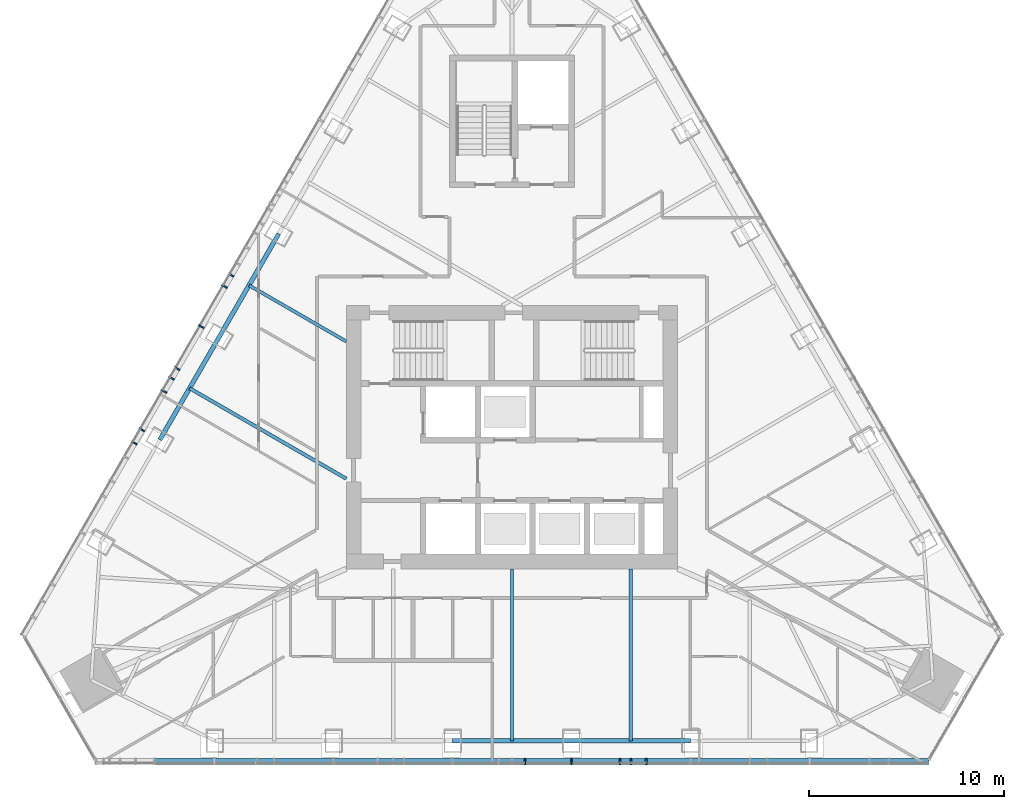
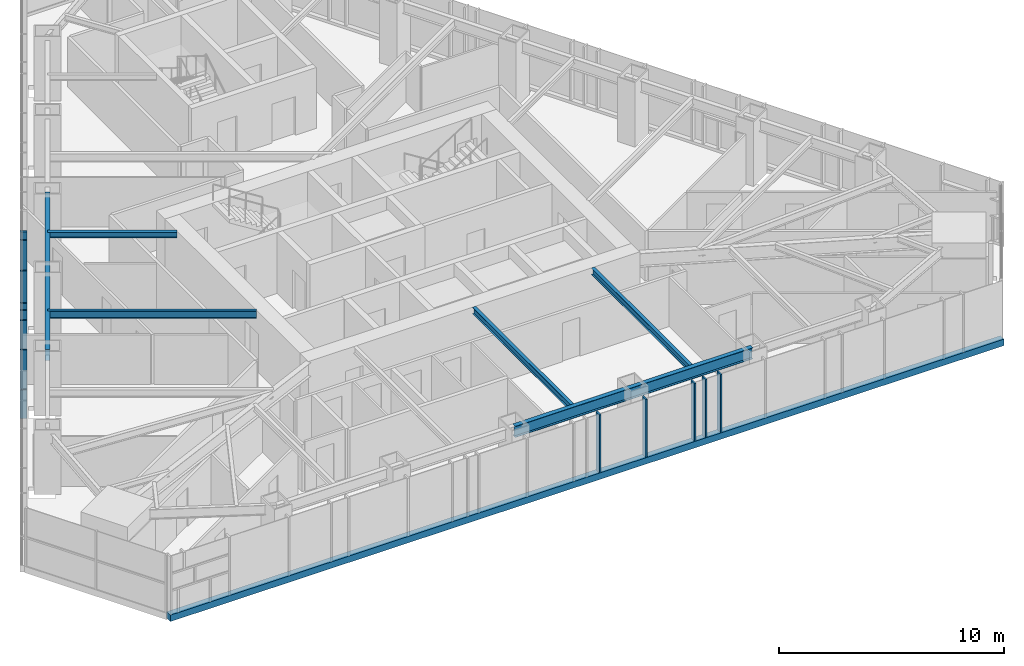
# One storey, part 3 of 18: 14 members, 6 beams, 2 elements without a shape of their own.
"""IFC4 building model written with IfcOpenShell, lengths in metres."""

from ifc_helpers import new_model, si_unit, direction, frame, origin, origin_2d, place, context, subcontext, project, spatial, rectangle, i_section, extrude, material, layer, layer_set, material_profile, profile_set, type_object, element, aggregate, save


model = new_model("IFC4")

# Units and contexts
model_context = context("Model", 3, precision=1e-05, world=origin(), true_north=direction((0.0, 1.0)))
body_context = subcontext(model_context, "Body", "Model", "MODEL_VIEW")
ifc_project = project(units=[si_unit("LENGTHUNIT", "METRE"), si_unit("AREAUNIT", "SQUARE_METRE"), si_unit("VOLUMEUNIT", "CUBIC_METRE"), si_unit("PLANEANGLEUNIT", "RADIAN"), si_unit("MASSUNIT", "GRAM", prefix="KILO")], contexts=[model_context])

# Site, building, storey
site_placement = place(None, origin())
site = spatial("IfcSite", under=ifc_project, at=site_placement, CompositionType="ELEMENT")
building_placement = place(site_placement, origin())
building = spatial("IfcBuilding", under=site, at=building_placement, Name="Firuza Gate Tower and Library", CompositionType="ELEMENT")
storey_placement = place(building_placement, frame((0.0, 0.0, 298.60009765625)))
storey = spatial("IfcBuildingStorey", under=building, at=storey_placement, Name="L72", CompositionType="ELEMENT", Elevation=298.60009765625)

# Curtain wall, members
ifc_material_1 = material(Name="Aluminium 6063-T6", Category="aluminium")
ifc_layer = layer(ifc_material_1, 0.14990234375)
ifc_layer_set = layer_set([ifc_layer], Name="Unitised curtain wall, residences")
curtain_wall_type = type_object("IfcCurtainWallType", Name="Unitised curtain wall, residences", PredefinedType="NOTDEFINED", material=ifc_layer_set)
placement = place(storey_placement, origin())
curtain_wall_1 = element("IfcCurtainWall", 1, at=placement, inside=storey, type_object=curtain_wall_type, Name="CW3 L72 S face", PredefinedType="NOTDEFINED")
ifc_material_2 = material(Name="Aluminium 6063-T6", Category="aluminium")
ifc_material_profile_1 = material_profile(ifc_material_2, rectangle(XDim=0.320068359375, YDim=0.080078125, at=origin_2d()))
ifc_profile_set_1 = profile_set([ifc_material_profile_1], Name="Aluminium 6063-T6")
member_type_1 = type_object("IfcMemberType", Name="Curtain wall mullion 80x320", PredefinedType="MULLION", material=ifc_profile_set_1)
member_1_placement = place(storey_placement, frame((78.05419921875, 58.36474609375, 0.14990234375), z_axis=(0.0, 0.0, 1.0), x_axis=(0.0, 1.0, 0.0)))
member_1 = element("IfcMember", 2, at=member_1_placement, type_object=member_type_1, Name="Mullion", PredefinedType="MULLION", context=body_context, shape_type="SweptSolid", body=[
    extrude(rectangle(XDim=0.320068359375, YDim=0.080078125, at=origin_2d()), origin(), (0.0, 0.0, 1.0), 3.14990234375),
])
member_2_placement = place(storey_placement, frame((81.1083984375, 58.36474609375, 0.14990234375), z_axis=(0.0, 0.0, 1.0), x_axis=(0.0, 1.0, 0.0)))
member_2 = element("IfcMember", 3, at=member_2_placement, type_object=member_type_1, Name="Mullion", PredefinedType="MULLION", context=body_context, shape_type="SweptSolid", body=[
    extrude(rectangle(XDim=0.320068359375, YDim=0.080078125, at=origin_2d()), origin(), (0.0, 0.0, 1.0), 3.14990234375),
])
member_3_placement = place(storey_placement, frame((75.672607421875, 58.36474609375, 0.14990234375), z_axis=(0.0, 0.0, 1.0), x_axis=(0.0, 1.0, 0.0)))
member_3 = element("IfcMember", 4, at=member_3_placement, type_object=member_type_1, Name="Mullion", PredefinedType="MULLION", context=body_context, shape_type="SweptSolid", body=[
    extrude(rectangle(XDim=0.320068359375, YDim=0.080078125, at=origin_2d()), origin(), (0.0, 0.0, 1.0), 3.14990234375),
])
member_4_placement = place(storey_placement, frame((80.540771484375, 58.36474609375, 0.14990234375), z_axis=(0.0, 0.0, 1.0), x_axis=(0.0, 1.0, 0.0)))
member_4 = element("IfcMember", 5, at=member_4_placement, type_object=member_type_1, Name="Mullion", PredefinedType="MULLION", context=body_context, shape_type="SweptSolid", body=[
    extrude(rectangle(XDim=0.320068359375, YDim=0.080078125, at=origin_2d()), origin(), (0.0, 0.0, 1.0), 3.14990234375),
])
member_5_placement = place(storey_placement, frame((81.885986328125, 58.36474609375, 0.14990234375), z_axis=(0.0, 0.0, 1.0), x_axis=(0.0, 1.0, 0.0)))
member_5 = element("IfcMember", 6, at=member_5_placement, type_object=member_type_1, Name="Mullion", PredefinedType="MULLION", context=body_context, shape_type="SweptSolid", body=[
    extrude(rectangle(XDim=0.320068359375, YDim=0.080078125, at=origin_2d()), origin(), (0.0, 0.0, 1.0), 3.14990234375),
])

curtain_wall_2 = element("IfcCurtainWall", 7, at=placement, inside=storey, type_object=curtain_wall_type, Name="CW3 L72 W face", PredefinedType="NOTDEFINED")
member_6_placement = place(storey_placement, frame((60.593505859375, 83.317626953125, 0.14990234375), z_axis=(0.0, 0.0, 1.0), x_axis=(0.866025403784, -0.5, 0.0)))
member_6 = element("IfcMember", 8, at=member_6_placement, type_object=member_type_1, Name="Mullion", PredefinedType="MULLION", context=body_context, shape_type="SweptSolid", body=[
    extrude(rectangle(XDim=0.320068359375, YDim=0.080078125, at=origin_2d()), origin(), (0.0, 0.0, 1.0), 3.14990234375),
])
member_7_placement = place(storey_placement, frame((59.06640625, 80.672607421875, 0.14990234375), z_axis=(0.0, 0.0, 1.0), x_axis=(0.866025403784, -0.5, 0.0)))
member_7 = element("IfcMember", 9, at=member_7_placement, type_object=member_type_1, Name="Mullion", PredefinedType="MULLION", context=body_context, shape_type="SweptSolid", body=[
    extrude(rectangle(XDim=0.320068359375, YDim=0.080078125, at=origin_2d()), origin(), (0.0, 0.0, 1.0), 3.14990234375),
])
member_8_placement = place(storey_placement, frame((57.539306640625, 78.027587890625, 0.14990234375), z_axis=(0.0, 0.0, 1.0), x_axis=(0.866025403784, -0.5, 0.0)))
member_8 = element("IfcMember", 10, at=member_8_placement, type_object=member_type_1, Name="Mullion", PredefinedType="MULLION", context=body_context, shape_type="SweptSolid", body=[
    extrude(rectangle(XDim=0.320068359375, YDim=0.080078125, at=origin_2d()), origin(), (0.0, 0.0, 1.0), 3.14990234375),
])
member_9_placement = place(storey_placement, frame((56.01220703125, 75.382568359375, 0.14990234375), z_axis=(0.0, 0.0, 1.0), x_axis=(0.866025403784, -0.5, 0.0)))
member_9 = element("IfcMember", 11, at=member_9_placement, type_object=member_type_1, Name="Mullion", PredefinedType="MULLION", context=body_context, shape_type="SweptSolid", body=[
    extrude(rectangle(XDim=0.320068359375, YDim=0.080078125, at=origin_2d()), origin(), (0.0, 0.0, 1.0), 3.14990234375),
])
member_10_placement = place(storey_placement, frame((60.257080078125, 82.735107421875, 0.14990234375), z_axis=(0.0, 0.0, 1.0), x_axis=(0.866025403784, -0.5, 0.0)))
member_10 = element("IfcMember", 12, at=member_10_placement, type_object=member_type_1, Name="Mullion", PredefinedType="MULLION", context=body_context, shape_type="SweptSolid", body=[
    extrude(rectangle(XDim=0.320068359375, YDim=0.080078125, at=origin_2d()), origin(), (0.0, 0.0, 1.0), 3.14990234375),
])
member_11_placement = place(storey_placement, frame((57.822998046875, 78.519287109375, 0.14990234375), z_axis=(0.0, 0.0, 1.0), x_axis=(0.866025403784, -0.5, 0.0)))
member_11 = element("IfcMember", 13, at=member_11_placement, type_object=member_type_1, Name="Mullion", PredefinedType="MULLION", context=body_context, shape_type="SweptSolid", body=[
    extrude(rectangle(XDim=0.320068359375, YDim=0.080078125, at=origin_2d()), origin(), (0.0, 0.0, 1.0), 3.14990234375),
])
member_12_placement = place(storey_placement, frame((57.150390625, 77.354248046875, 0.14990234375), z_axis=(0.0, 0.0, 1.0), x_axis=(0.866025403784, -0.5, 0.0)))
member_12 = element("IfcMember", 14, at=member_12_placement, type_object=member_type_1, Name="Mullion", PredefinedType="MULLION", context=body_context, shape_type="SweptSolid", body=[
    extrude(rectangle(XDim=0.320068359375, YDim=0.080078125, at=origin_2d()), origin(), (0.0, 0.0, 1.0), 3.14990234375),
])
member_13_placement = place(storey_placement, frame((55.622314453125, 74.707275390625, 0.14990234375), z_axis=(0.0, 0.0, 1.0), x_axis=(0.866025403784, -0.5, 0.0)))
member_13 = element("IfcMember", 15, at=member_13_placement, type_object=member_type_1, Name="Mullion", PredefinedType="MULLION", context=body_context, shape_type="SweptSolid", body=[
    extrude(rectangle(XDim=0.320068359375, YDim=0.080078125, at=origin_2d()), origin(), (0.0, 0.0, 1.0), 1.534912109375),
])
aggregate(curtain_wall_2, [member_6, member_7, member_8, member_9, member_10, member_11, member_12, member_13])

# Member
ifc_material_3 = material(Name="Aluminium 6063-T6", Category="aluminium")
ifc_material_profile_2 = material_profile(ifc_material_3, rectangle(XDim=0.320068359375, YDim=0.35009765625, at=origin_2d()))
ifc_profile_set_2 = profile_set([ifc_material_profile_2], Name="Aluminium 6063-T6")
member_type_2 = type_object("IfcMemberType", Name="Curtain wall transom 350x320", PredefinedType="USERDEFINED", material=ifc_profile_set_2)
member_14_placement = place(storey_placement, frame((53.62060546875, 58.36474609375, -0.025146484375), z_axis=(1.0, 0.0, 0.0), x_axis=(0.0, 1.0, 0.0)))
member_14 = element("IfcMember", 16, at=member_14_placement, type_object=member_type_2, Name="Transom", ObjectType="TRANSOM", PredefinedType="USERDEFINED", context=body_context, shape_type="SweptSolid", body=[
    extrude(rectangle(XDim=0.320068359375, YDim=0.35009765625, at=origin_2d()), origin(), (0.0, 0.0, 1.0), 42.7587890625),
])

aggregate(curtain_wall_1, [member_1, member_2, member_14, member_3, member_4, member_5])

# Beams
ifc_material_4 = material(Name="Steel S355", Category="steel")
ifc_material_profile_3 = material_profile(ifc_material_4, i_section(OverallWidth=0.1650390625, OverallDepth=0.31005859375, WebThickness=0.005859375, FlangeThickness=0.009765625, at=origin_2d()))
ifc_profile_set_3 = profile_set([ifc_material_profile_3], Name="Steel S355")
beam_type_1 = type_object("IfcBeamType", Name="W310x39 Floor beam", PredefinedType="JOIST", material=ifc_profile_set_3)
beam_1_placement = place(storey_placement, frame((61.511474609375, 82.78759765625, 3.14501953125), z_axis=(0.866025368003, -0.500000061975, 0.0), x_axis=(0.500000061975, 0.866025368003, 0.0)))
element("IfcBeam", 17, at=beam_1_placement, inside=storey, type_object=beam_type_1, Name="Floor beam L72 s82", PredefinedType="JOIST", context=body_context, shape_type="SweptSolid", body=[
    extrude(i_section(OverallWidth=0.1650390625, OverallDepth=0.31005859375, WebThickness=0.005859375, FlangeThickness=0.009765625, at=origin_2d()), origin(), (0.0, 0.0, 1.0), 5.76025390625),
])
ifc_material_5 = material(Name="Steel S355", Category="steel")
ifc_material_profile_4 = material_profile(ifc_material_5, i_section(OverallWidth=0.1708984375, OverallDepth=0.35498046875, WebThickness=0.007080078125, FlangeThickness=0.01171875, at=origin_2d()))
ifc_profile_set_4 = profile_set([ifc_material_profile_4], Name="Steel S355")
beam_type_2 = type_object("IfcBeamType", Name="W360x51 Floor beam", PredefinedType="JOIST", material=ifc_profile_set_4)
for number, where, z_axis, x_axis, name in (
    (18, (75.0, 59.4248046875, 3.122314453125), (0.0, 1.0, 0.0), (-1.0, 0.0, 0.0), "Floor beam L72 s22"),
    (19, (81.095947265625, 59.4248046875, 3.122314453125), (0.0, 1.0, 0.0), (-1.0, 0.0, 0.0), "Floor beam L72 s23"),
):
    element("IfcBeam", number, at=place(storey_placement, frame(where, z_axis=z_axis, x_axis=x_axis)), inside=storey, type_object=beam_type_2, Name=name, PredefinedType="JOIST", context=body_context, shape_type="SweptSolid", body=[
        extrude(i_section(OverallWidth=0.1708984375, OverallDepth=0.35498046875, WebThickness=0.007080078125, FlangeThickness=0.01171875, at=origin_2d()), origin(), (0.0, 0.0, 1.0), 8.8251953125),
    ])
ifc_material_6 = material(Name="Steel S355", Category="steel")
ifc_material_profile_5 = material_profile(ifc_material_6, i_section(OverallWidth=0.177978515625, OverallDepth=0.406982421875, WebThickness=0.0078125, FlangeThickness=0.0126953125, at=origin_2d()))
ifc_profile_set_5 = profile_set([ifc_material_profile_5], Name="Steel S355")
beam_type_3 = type_object("IfcBeamType", Name="W410x60 Floor beam", PredefinedType="JOIST", material=ifc_profile_set_5)
beam_2_placement = place(storey_placement, frame((58.46337890625, 77.50830078125, 3.096435546875), z_axis=(0.866027866277, -0.499995734814, 0.0), x_axis=(0.499995734814, 0.866027866277, 0.0)))
element("IfcBeam", 20, at=beam_2_placement, inside=storey, type_object=beam_type_3, Name="Floor beam L72 s83", PredefinedType="JOIST", context=body_context, shape_type="SweptSolid", body=[
    extrude(i_section(OverallWidth=0.177978515625, OverallDepth=0.406982421875, WebThickness=0.0078125, FlangeThickness=0.0126953125, at=origin_2d()), origin(), (0.0, 0.0, 1.0), 9.27978515625),
])
ifc_material_7 = material(Name="Steel S355", Category="steel")
ifc_material_profile_6 = material_profile(ifc_material_7, i_section(OverallWidth=0.22900390625, OverallDepth=0.612060546875, WebThickness=0.011962890625, FlangeThickness=0.01953125, at=origin_2d()))
ifc_profile_set_6 = profile_set([ifc_material_profile_6], Name="Steel S355")
beam_type_4 = type_object("IfcBeamType", Name="W610x125 Edge beam", PredefinedType="SPANDREL", material=ifc_profile_set_6)
beam_3_placement = place(storey_placement, frame((71.951904296875, 59.4248046875, 2.993896484375), z_axis=(1.0, 0.0, 0.0), x_axis=(0.0, 1.0, 0.0)))
element("IfcBeam", 21, at=beam_3_placement, inside=storey, type_object=beam_type_4, Name="Edge beam L72 e22", PredefinedType="SPANDREL", context=body_context, shape_type="SweptSolid", body=[
    extrude(i_section(OverallWidth=0.22900390625, OverallDepth=0.612060546875, WebThickness=0.011962890625, FlangeThickness=0.01953125, at=origin_2d()), origin(), (0.0, 0.0, 1.0), 12.192138671875),
])
beam_4_placement = place(storey_placement, frame((63.035400390625, 85.42724609375, 2.993896484375), z_axis=(-0.499996328842, -0.866027523318, 0.0), x_axis=(0.866027523318, -0.499996328842, 0.0)))
element("IfcBeam", 22, at=beam_4_placement, inside=storey, type_object=beam_type_4, Name="Edge beam L72 e82", PredefinedType="SPANDREL", context=body_context, shape_type="SweptSolid", body=[
    extrude(i_section(OverallWidth=0.22900390625, OverallDepth=0.612060546875, WebThickness=0.011962890625, FlangeThickness=0.01953125, at=origin_2d()), origin(), (0.0, 0.0, 1.0), 12.19189453125),
])

save(model, "model.ifc")
